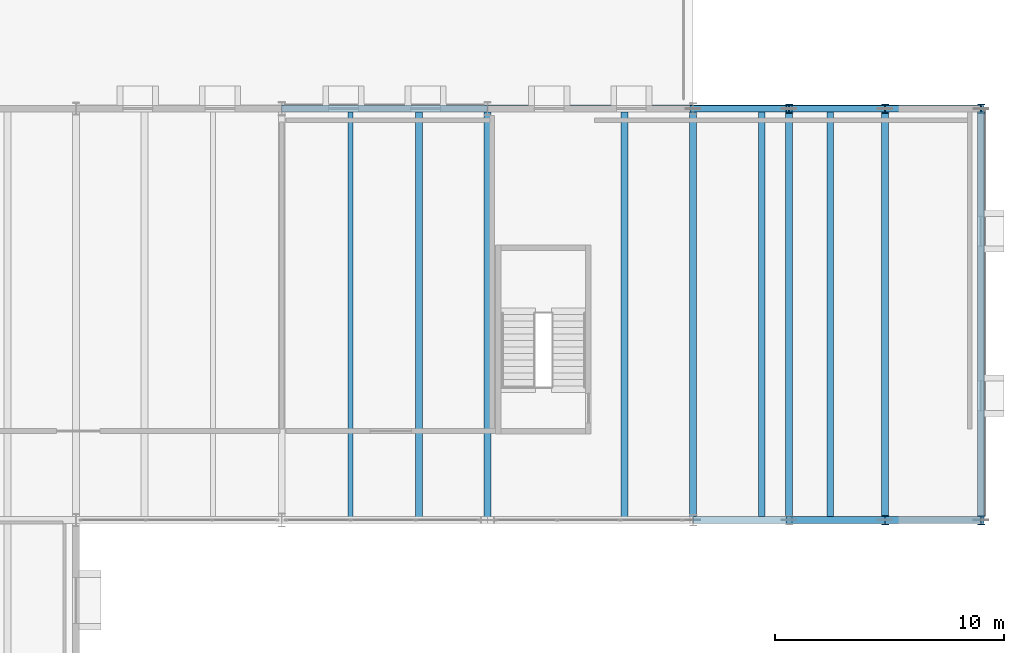
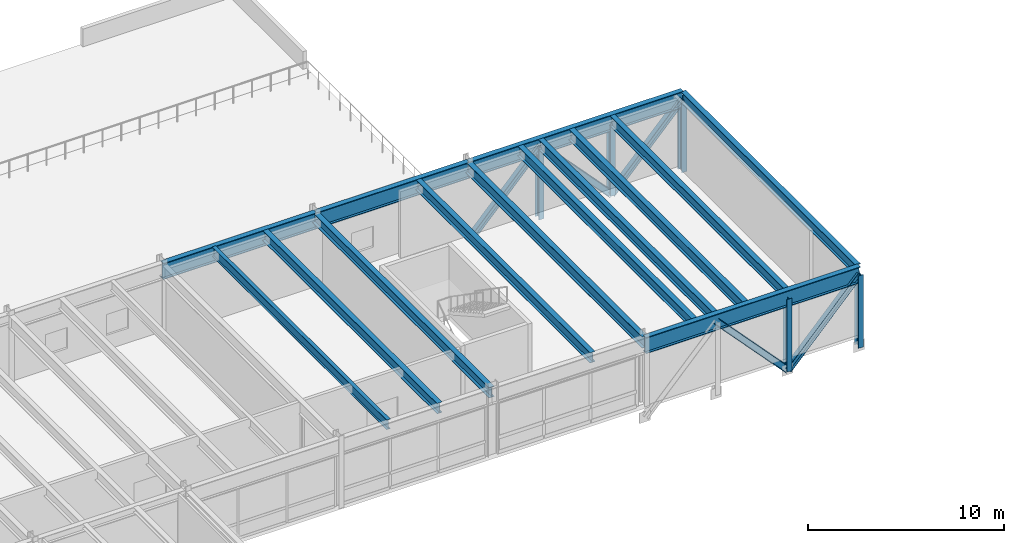
# One storey, part 88 of 115: 14 beams, 10 members.
"""IFC4 building model written with IfcOpenShell, lengths in metres."""

import ifcopenshell
import ifcopenshell.guid

model = None  # the IFC model being written
_history = None  # IfcOwnerHistory: only IFC2X3 demands one
_inside = {}  # id of a spatial element -> (the spatial element, [elements in it])
_under = {}  # id of a project, library or spatial element -> (it, [spatial elements below it])
_declared = {}  # id of a project -> (the project, [libraries it declares])
_typed = {}  # id of a type object -> (the type object, [elements of that type])
_made_of = {}  # id of a material, layer set ... -> (it, [elements and type objects made of it])


def new_model(schema):
    """Start an empty IFC model of exactly this schema.

    Asked for "IFC4X3", IfcOpenShell would pick the latest addendum, in which some entities
    have other attributes; the version numbers below select the first issue.
    IFC2X3 requires an IfcOwnerHistory on every rooted entity: one is made here for all.
    """
    global model, _history
    if schema == "IFC4X3":
        model = ifcopenshell.file(schema_version=(4, 3, 0, 0))
    else:
        model = ifcopenshell.file(schema=schema)
    _inside.clear()
    _under.clear()
    _declared.clear()
    _typed.clear()
    _made_of.clear()
    _history = None
    if model.schema == "IFC2X3":
        org = make("IfcOrganization", Name="unknown")
        user = make(
            "IfcPersonAndOrganization",
            ThePerson=make("IfcPerson", FamilyName="unknown"),
            TheOrganization=org,
        )
        app = make(
            "IfcApplication",
            ApplicationDeveloper=org,
            Version="unknown",
            ApplicationFullName="unknown",
            ApplicationIdentifier="unknown",
        )
        _history = make(
            "IfcOwnerHistory",
            OwningUser=user,
            OwningApplication=app,
            ChangeAction="ADDED",
            CreationDate=0,
        )
    return model


def make(cls, **values):
    """One entity of the class cls with the attributes given. An attribute that is None is left unset."""
    return model.create_entity(
        cls, **{name: value for name, value in values.items() if value is not None}
    )


def rooted(cls, **values):
    """An entity with a GlobalId (a new one), such as an element, a storey or a relation."""
    return make(cls, GlobalId=ifcopenshell.guid.new(), OwnerHistory=_history, **values)


def si_unit(unit_type, name, prefix=None):
    """IfcSIUnit, for example si_unit("LENGTHUNIT", "METRE", prefix="MILLI")."""
    return make("IfcSIUnit", UnitType=unit_type, Prefix=prefix, Name=name)


def assignment(units):
    """IfcUnitAssignment: the units of a project."""
    return None if units is None else make("IfcUnitAssignment", Units=units)


def point(xyz):
    """IfcCartesianPoint."""
    return None if xyz is None else make("IfcCartesianPoint", Coordinates=xyz)


def direction(xyz):
    """IfcDirection."""
    return None if xyz is None else make("IfcDirection", DirectionRatios=xyz)


def frame(location, z_axis=None, x_axis=None):
    """IfcAxis2Placement3D, a coordinate frame: its origin and axes. An axis left out is left unset."""
    return make(
        "IfcAxis2Placement3D",
        Location=point(location),
        Axis=direction(z_axis),
        RefDirection=direction(x_axis),
    )


def frame_2d(location, x_axis=None):
    """IfcAxis2Placement2D, a coordinate frame in the plane: its origin and x axis."""
    return make(
        "IfcAxis2Placement2D", Location=point(location), RefDirection=direction(x_axis)
    )


def origin():
    """The frame at (0, 0, 0) with its axes left unset."""
    return frame((0.0, 0.0, 0.0))


def origin_2d():
    """The frame at (0, 0) in the plane with its x axis left unset."""
    return frame_2d((0.0, 0.0))


def place(relative_to, where):
    """IfcLocalPlacement: puts the frame where relative to a parent placement (None: the world)."""
    return make(
        "IfcLocalPlacement", PlacementRelTo=relative_to, RelativePlacement=where
    )


def context(
    kind, dimensions, precision=None, world=None, true_north=None, identifier=None
):
    """IfcGeometricRepresentationContext, for example the 3D "Model" context."""
    return make(
        "IfcGeometricRepresentationContext",
        ContextIdentifier=identifier,
        ContextType=kind,
        CoordinateSpaceDimension=dimensions,
        Precision=precision,
        WorldCoordinateSystem=world,
        TrueNorth=true_north,
    )


def subcontext(parent, identifier, kind, view, scale=None):
    """IfcGeometricRepresentationSubContext, for example "Body" below "Model"."""
    return make(
        "IfcGeometricRepresentationSubContext",
        ContextIdentifier=identifier,
        ContextType=kind,
        ParentContext=parent,
        TargetScale=scale,
        TargetView=view,
    )


def project(units=None, contexts=None):
    """IfcProject with its units and contexts."""
    return rooted(
        "IfcProject",
        Name="project",
        RepresentationContexts=contexts,
        UnitsInContext=assignment(units),
    )


def spatial(cls, under=None, at=None, **own):
    """A site, building, storey or space (cls), placed at a placement, below another one or the project."""
    s = rooted(cls, ObjectPlacement=at, **own)
    if under is not None:
        _under.setdefault(under.id(), (under, []))[1].append(s)
    return s


def profile(cls, at=None, kind="AREA", **sizes):
    """A parametric profile (cls). Its sizes go by their IFC names, for example OverallWidth=200.0."""
    return make(cls, ProfileType=kind, Position=at, **sizes)


def i_section(**sizes):
    """IfcIShapeProfileDef."""
    return profile("IfcIShapeProfileDef", **sizes)


def extrude(swept, where, along, depth):
    """IfcExtrudedAreaSolid: the profile swept, set in the frame where, extruded along a direction by depth."""
    return make(
        "IfcExtrudedAreaSolid",
        SweptArea=swept,
        Position=where,
        ExtrudedDirection=direction(along),
        Depth=depth,
    )


def shape(context_of_items, identifier, shape_type, items):
    """IfcShapeRepresentation: the items that make up one representation, for example the "Body"."""
    return make(
        "IfcShapeRepresentation",
        ContextOfItems=context_of_items,
        RepresentationIdentifier=identifier,
        RepresentationType=shape_type,
        Items=items,
    )


def material(Name=None, Category=None):
    """IfcMaterial."""
    return make("IfcMaterial", Name=Name, Category=Category)


def material_profile(
    of_material, cross_section, Name=None, Category=None, Priority=None
):
    """IfcMaterialProfile: a cross section and its material."""
    return make(
        "IfcMaterialProfile",
        Name=Name,
        Material=of_material,
        Profile=cross_section,
        Priority=Priority,
        Category=Category,
    )


def profile_set(profiles, Name=None, composite=None):
    """IfcMaterialProfileSet."""
    return make(
        "IfcMaterialProfileSet",
        Name=Name,
        MaterialProfiles=profiles,
        CompositeProfile=composite,
    )


def made_of(thing, what):
    """Note that an element or type object is made of a material, layer set ...; save() writes the relation."""
    if what is not None:
        _made_of.setdefault(what.id(), (what, []))[1].append(thing)
    return thing


def type_object(cls, material=None, **own):
    """A type object (cls), such as IfcWallType, which elements share."""
    return made_of(rooted(cls, **own), material)


def element(
    cls,
    number,
    at=None,
    inside=None,
    cuts=None,
    type_object=None,
    material=None,
    context=None,
    identifier="Body",
    shape_type=None,
    held_by="IfcProductDefinitionShape",
    body=None,
    shapes=None,
    **own,
):
    """One element of the class cls, such as IfcWall. Its Tag is "e" and its number.

    at: its placement. inside: the storey or other place that contains it. cuts: it is an
    opening in that element (IfcRelVoidsElement). A single representation is given by context,
    identifier, shape_type and body (its items); several are given by shapes. held_by: the class
    of the entity that holds the representations. save() writes the other relations.
    """
    e = rooted(cls, Tag="e%d" % number, ObjectPlacement=at, **own)
    if body is not None:
        shapes = [shape(context, identifier, shape_type, body)]
    if shapes is not None:
        e.Representation = make(held_by, Representations=shapes)
    if inside is not None:
        _inside.setdefault(inside.id(), (inside, []))[1].append(e)
    if cuts is not None:
        rooted(
            "IfcRelVoidsElement", RelatingBuildingElement=cuts, RelatedOpeningElement=e
        )
    if type_object is not None:
        _typed.setdefault(type_object.id(), (type_object, []))[1].append(e)
    return made_of(e, material)


def aggregate(whole, parts):
    """IfcRelAggregates: a whole, such as a stair, and the parts it consists of."""
    return rooted("IfcRelAggregates", RelatingObject=whole, RelatedObjects=parts)


def save(model, path):
    """Write the relations noted so far, then the file.

    IfcRelAggregates (storeys below a building ...), IfcRelContainedInSpatialStructure (elements
    in a storey), IfcRelDefinesByType, IfcRelAssociatesMaterial and IfcRelDeclares: one each for
    every whole, place, type object, material and project.
    """
    for whole, parts in _under.values():
        aggregate(whole, parts)
    for where, things in _inside.values():
        rooted(
            "IfcRelContainedInSpatialStructure",
            RelatedElements=things,
            RelatingStructure=where,
        )
    for kind, things in _typed.values():
        rooted("IfcRelDefinesByType", RelatedObjects=things, RelatingType=kind)
    for what, things in _made_of.values():
        rooted("IfcRelAssociatesMaterial", RelatedObjects=things, RelatingMaterial=what)
    for by, libraries in _declared.values():
        rooted("IfcRelDeclares", RelatingContext=by, RelatedDefinitions=libraries)
    model.write(path)


model = new_model("IFC4")

# Units and contexts
model_context = context("Model", 3, precision=1e-05, world=origin(), true_north=direction((0.0, 1.0)))
body_context = subcontext(model_context, "Body", "Model", "MODEL_VIEW")
ifc_project = project(units=[si_unit("LENGTHUNIT", "METRE"), si_unit("AREAUNIT", "SQUARE_METRE"), si_unit("VOLUMEUNIT", "CUBIC_METRE"), si_unit("PLANEANGLEUNIT", "RADIAN"), si_unit("MASSUNIT", "GRAM", prefix="KILO")], contexts=[model_context])

# Site, building, storey
site_placement = place(None, origin())
site = spatial("IfcSite", under=ifc_project, at=site_placement, CompositionType="ELEMENT")
building_placement = place(site_placement, origin())
building = spatial("IfcBuilding", under=site, at=building_placement, Name="Montelvaro Courts of Justice", CompositionType="ELEMENT")
storey_placement = place(building_placement, frame((0.0, 0.0, 9.89990234375)))
storey = spatial("IfcBuildingStorey", under=building, at=storey_placement, Name="L02", CompositionType="ELEMENT", Elevation=9.89990234375)

# Beams
ifc_material = material(Name="Steel S355", Category="steel")
ifc_material_profile_1 = material_profile(ifc_material, i_section(OverallWidth=0.300048828125, OverallDepth=0.639892578125, WebThickness=0.013427734375, FlangeThickness=0.02587890625, at=origin_2d()), Name="HEA 650")
ifc_profile_set_1 = profile_set([ifc_material_profile_1], Name="Steel S355")
beam_type_1 = type_object("IfcBeamType", Name="Beam_HEA650", PredefinedType="USERDEFINED", material=ifc_profile_set_1)
for number, where, z_axis, x_axis, name in (
    (1, (159.0, 78.110107421875, 3.880126953125), (0.0, 1.0, 0.0), (-1.0, 0.0, 0.0), "Beam B-22 L02"),
    (2, (165.0, 78.110107421875, 3.880126953125), (0.0, 1.0, 0.0), (-1.0, 0.0, 0.0), "Beam B-22 L02"),
):
    element("IfcBeam", number, at=place(storey_placement, frame(where, z_axis=z_axis, x_axis=x_axis)), inside=storey, type_object=beam_type_1, Name=name, ObjectType="GIRDER", PredefinedType="USERDEFINED", context=body_context, shape_type="SweptSolid", body=[
        extrude(i_section(OverallWidth=0.300048828125, OverallDepth=0.639892578125, WebThickness=0.013427734375, FlangeThickness=0.02587890625, at=origin_2d()), origin(), (0.0, 0.0, 1.0), 17.77978515625),
    ])
ifc_material_profile_2 = material_profile(ifc_material, i_section(OverallWidth=0.300048828125, OverallDepth=0.68994140625, WebThickness=0.014404296875, FlangeThickness=0.027099609375, at=origin_2d()), Name="HEA 700")
ifc_profile_set_2 = profile_set([ifc_material_profile_2], Name="Steel S355")
beam_type_2 = type_object("IfcBeamType", Name="Beam_HEA700", PredefinedType="USERDEFINED", material=ifc_profile_set_2)
beam_1_placement = place(storey_placement, frame((168.0, 78.110107421875, 3.85498046875), z_axis=(0.0, 1.0, 0.0), x_axis=(-1.0, 0.0, 0.0)))
element("IfcBeam", 3, at=beam_1_placement, inside=storey, type_object=beam_type_2, Name="Beam B-23 L02", ObjectType="GIRDER", PredefinedType="USERDEFINED", context=body_context, shape_type="SweptSolid", body=[
    extrude(i_section(OverallWidth=0.300048828125, OverallDepth=0.68994140625, WebThickness=0.014404296875, FlangeThickness=0.027099609375, at=origin_2d()), origin(), (0.0, 0.0, 1.0), 17.77978515625),
])
ifc_material_profile_3 = material_profile(ifc_material, i_section(OverallWidth=0.300048828125, OverallDepth=0.64990234375, WebThickness=0.01611328125, FlangeThickness=0.031005859375, at=origin_2d()), Name="HEB 650")
ifc_profile_set_3 = profile_set([ifc_material_profile_3], Name="Steel S355")
beam_type_3 = type_object("IfcBeamType", Name="Beam_HEB650", PredefinedType="USERDEFINED", material=ifc_profile_set_3)
for number, where, z_axis, x_axis, name in (
    (4, (166.199951171875, 78.110107421875, 3.875), (0.0, 1.0, 0.0), (-1.0, 0.0, 0.0), "Beam B-27 L02"),
    (5, (170.39990234375, 78.110107421875, 3.875), (0.0, 1.0, 0.0), (-1.0, 0.0, 0.0), "Beam B-27 L02"),
    (6, (174.60009765625, 78.110107421875, 3.875), (0.0, 1.0, 0.0), (-1.0, 0.0, 0.0), "Beam B-27 L02"),
):
    element("IfcBeam", number, at=place(storey_placement, frame(where, z_axis=z_axis, x_axis=x_axis)), inside=storey, type_object=beam_type_3, Name=name, ObjectType="GIRDER", PredefinedType="USERDEFINED", context=body_context, shape_type="SweptSolid", body=[
        extrude(i_section(OverallWidth=0.300048828125, OverallDepth=0.64990234375, WebThickness=0.01611328125, FlangeThickness=0.031005859375, at=origin_2d()), origin(), (0.0, 0.0, 1.0), 17.77978515625),
    ])
beam_2_placement = place(storey_placement, frame((153.0, 78.0, 3.875), z_axis=(0.0, 1.0, 0.0), x_axis=(-1.0, 0.0, 0.0)))
element("IfcBeam", 7, at=beam_2_placement, inside=storey, type_object=beam_type_3, Name="Beam B-27 L02", ObjectType="GIRDER", PredefinedType="USERDEFINED", context=body_context, shape_type="SweptSolid", body=[
    extrude(i_section(OverallWidth=0.300048828125, OverallDepth=0.64990234375, WebThickness=0.01611328125, FlangeThickness=0.031005859375, at=origin_2d()), origin(), (0.0, 0.0, 1.0), 18.0),
])
beam_3_placement = place(storey_placement, frame((150.0, 78.110107421875, 3.875), z_axis=(0.0, 1.0, 0.0), x_axis=(-1.0, 0.0, 0.0)))
element("IfcBeam", 8, at=beam_3_placement, inside=storey, type_object=beam_type_3, Name="Beam B-27 L02", ObjectType="GIRDER", PredefinedType="USERDEFINED", context=body_context, shape_type="SweptSolid", body=[
    extrude(i_section(OverallWidth=0.300048828125, OverallDepth=0.64990234375, WebThickness=0.01611328125, FlangeThickness=0.031005859375, at=origin_2d()), origin(), (0.0, 0.0, 1.0), 17.77978515625),
])
ifc_material_profile_4 = material_profile(ifc_material, i_section(OverallWidth=0.300048828125, OverallDepth=0.699951171875, WebThickness=0.01708984375, FlangeThickness=0.031982421875, at=origin_2d()), Name="HEB 700")
ifc_profile_set_4 = profile_set([ifc_material_profile_4], Name="Steel S355")
beam_type_4 = type_object("IfcBeamType", Name="Beam_HEB700", PredefinedType="USERDEFINED", material=ifc_profile_set_4)
beam_4_placement = place(storey_placement, frame((162.0, 78.0, 3.85009765625), z_axis=(0.0, 1.0, 0.0), x_axis=(-1.0, 0.0, 0.0)))
element("IfcBeam", 9, at=beam_4_placement, inside=storey, type_object=beam_type_4, Name="Beam B-28 L02", ObjectType="GIRDER", PredefinedType="USERDEFINED", context=body_context, shape_type="SweptSolid", body=[
    extrude(i_section(OverallWidth=0.300048828125, OverallDepth=0.699951171875, WebThickness=0.01708984375, FlangeThickness=0.031982421875, at=origin_2d()), origin(), (0.0, 0.0, 1.0), 18.0),
])
ifc_material_profile_5 = material_profile(ifc_material, i_section(OverallWidth=0.302001953125, OverallDepth=1.008056640625, WebThickness=0.02099609375, FlangeThickness=0.0400390625, at=origin_2d()), Name="HEM 1000")
ifc_profile_set_5 = profile_set([ifc_material_profile_5], Name="Steel S355")
beam_type_5 = type_object("IfcBeamType", Name="Beam_HEM1000", PredefinedType="USERDEFINED", material=ifc_profile_set_5)
beam_5_placement = place(storey_placement, frame((162.0, 78.0, 3.696044921875), z_axis=(1.0, 0.0, 0.0), x_axis=(0.0, 1.0, 0.0)))
element("IfcBeam", 10, at=beam_5_placement, inside=storey, type_object=beam_type_5, Name="Pratt Cantilever Truss Chord CTR-V2-S-L03-OVH", ObjectType="GIRDER", PredefinedType="USERDEFINED", context=body_context, shape_type="SweptSolid", body=[
    extrude(i_section(OverallWidth=0.302001953125, OverallDepth=1.008056640625, WebThickness=0.02099609375, FlangeThickness=0.0400390625, at=origin_2d()), origin(), (0.0, 0.0, 1.0), 12.60009765625),
])
for number, where, z_axis, x_axis, name in (
    (11, (144.0, 96.0, 3.696044921875), (1.0, 0.0, 0.0), (0.0, 1.0, 0.0), "Pratt Cantilever Truss Chord CTR-V2-N-L03-BS2"),
    (12, (153.0, 96.0, 3.696044921875), (1.0, 0.0, 0.0), (0.0, 1.0, 0.0), "Pratt Cantilever Truss Chord CTR-V2-N-L03-BS3"),
):
    element("IfcBeam", number, at=place(storey_placement, frame(where, z_axis=z_axis, x_axis=x_axis)), inside=storey, type_object=beam_type_5, Name=name, ObjectType="GIRDER", PredefinedType="USERDEFINED", context=body_context, shape_type="SweptSolid", body=[
        extrude(i_section(OverallWidth=0.302001953125, OverallDepth=1.008056640625, WebThickness=0.02099609375, FlangeThickness=0.0400390625, at=origin_2d()), origin(), (0.0, 0.0, 1.0), 9.0),
    ])
beam_6_placement = place(storey_placement, frame((162.0, 96.0, 3.696044921875), z_axis=(1.0, 0.0, 0.0), x_axis=(0.0, 1.0, 0.0)))
element("IfcBeam", 13, at=beam_6_placement, inside=storey, type_object=beam_type_5, Name="Pratt Cantilever Truss Chord CTR-V2-N-L03-OVH", ObjectType="GIRDER", PredefinedType="USERDEFINED", context=body_context, shape_type="SweptSolid", body=[
    extrude(i_section(OverallWidth=0.302001953125, OverallDepth=1.008056640625, WebThickness=0.02099609375, FlangeThickness=0.0400390625, at=origin_2d()), origin(), (0.0, 0.0, 1.0), 12.60009765625),
])
ifc_material_profile_6 = material_profile(ifc_material, i_section(OverallWidth=0.219970703125, OverallDepth=0.60009765625, WebThickness=0.011962890625, FlangeThickness=0.01904296875, at=origin_2d()), Name="IPE 600")
ifc_profile_set_6 = profile_set([ifc_material_profile_6], Name="Steel S355")
beam_type_6 = type_object("IfcBeamType", Name="Beam_IPE600", PredefinedType="USERDEFINED", material=ifc_profile_set_6)
beam_7_placement = place(storey_placement, frame((147.0, 78.110107421875, 3.900146484375), z_axis=(0.0, 1.0, 0.0), x_axis=(-1.0, 0.0, 0.0)))
element("IfcBeam", 14, at=beam_7_placement, inside=storey, type_object=beam_type_6, Name="Beam B-12 L02", ObjectType="GIRDER", PredefinedType="USERDEFINED", context=body_context, shape_type="SweptSolid", body=[
    extrude(i_section(OverallWidth=0.219970703125, OverallDepth=0.60009765625, WebThickness=0.011962890625, FlangeThickness=0.01904296875, at=origin_2d()), origin(), (0.0, 0.0, 1.0), 17.77978515625),
])

# Members
ifc_material_profile_7 = material_profile(ifc_material, i_section(OverallWidth=0.300048828125, OverallDepth=0.360107421875, WebThickness=0.012451171875, FlangeThickness=0.0224609375, at=origin_2d()), Name="HEB 360")
ifc_profile_set_7 = profile_set([ifc_material_profile_7], Name="Steel S355")
member_type_1 = type_object("IfcMemberType", Name="Mem_HEB360_Brace", PredefinedType="BRACE", material=ifc_profile_set_7)
for number, where, z_axis, x_axis, name in (
    (15, (166.199951171875, 78.0, 3.696044921875), (0.682314010889, 0.0, -0.73105922506), (0.0, 1.0, 0.0), "Pratt Cantilever Truss Diagonal MB-01 CTR-V2-S-L02-D5"),
    (16, (170.39990234375, 78.0, -0.803955078125), (0.682335207557, 0.0, 0.731039441158), (0.0, 1.0, 0.0), "Pratt Cantilever Truss Diagonal MB-01 CTR-V2-S-L02-D6"),
    (17, (162.0, 96.0, -0.803955078125), (0.682314010889, 0.0, 0.73105922506), (0.0, 1.0, 0.0), "Pratt Cantilever Truss Diagonal MB-01 CTR-V2-N-L02-D4"),
    (18, (166.199951171875, 96.0, 3.696044921875), (0.682314010889, 0.0, -0.73105922506), (0.0, 1.0, 0.0), "Pratt Cantilever Truss Diagonal MB-01 CTR-V2-N-L02-D5"),
    (19, (170.39990234375, 96.0, -0.803955078125), (0.682335207557, 0.0, 0.731039441158), (0.0, 1.0, 0.0), "Pratt Cantilever Truss Diagonal MB-01 CTR-V2-N-L02-D6"),
):
    element("IfcMember", number, at=place(storey_placement, frame(where, z_axis=z_axis, x_axis=x_axis)), inside=storey, type_object=member_type_1, Name=name, PredefinedType="BRACE", context=body_context, shape_type="SweptSolid", body=[
        extrude(i_section(OverallWidth=0.300048828125, OverallDepth=0.360107421875, WebThickness=0.012451171875, FlangeThickness=0.0224609375, at=origin_2d()), origin(), (0.0, 0.0, 1.0), 6.155517578125),
    ])
ifc_material_profile_8 = material_profile(ifc_material, i_section(OverallWidth=0.300048828125, OverallDepth=0.39990234375, WebThickness=0.013427734375, FlangeThickness=0.02392578125, at=origin_2d()), Name="HEB 400")
ifc_profile_set_8 = profile_set([ifc_material_profile_8], Name="Steel S355")
member_type_2 = type_object("IfcMemberType", Name="Mem_HEB400_Post", PredefinedType="POST", material=ifc_profile_set_8)
for number, where, z_axis, x_axis, name in (
    (20, (170.39990234375, 78.0, -0.803955078125), (0.0, 0.0, 1.0), (1.0, 0.0, 0.0), "Pratt Cantilever Truss Post MP-01 CTR-V2-S-L02-2"),
    (21, (174.60009765625, 78.0, -0.803955078125), (0.0, 0.0, 1.0), (1.0, 0.0, 0.0), "Pratt Cantilever Truss Post MP-01 CTR-V2-S-L02-3"),
    (22, (166.199951171875, 96.0, -0.803955078125), (0.0, 0.0, 1.0), (1.0, 0.0, 0.0), "Pratt Cantilever Truss Post MP-01 CTR-V2-N-L02-1"),
    (23, (170.39990234375, 96.0, -0.803955078125), (0.0, 0.0, 1.0), (1.0, 0.0, 0.0), "Pratt Cantilever Truss Post MP-01 CTR-V2-N-L02-2"),
    (24, (174.60009765625, 96.0, -0.803955078125), (0.0, 0.0, 1.0), (1.0, 0.0, 0.0), "Pratt Cantilever Truss Post MP-01 CTR-V2-N-L02-3"),
):
    element("IfcMember", number, at=place(storey_placement, frame(where, z_axis=z_axis, x_axis=x_axis)), inside=storey, type_object=member_type_2, Name=name, PredefinedType="POST", context=body_context, shape_type="SweptSolid", body=[
        extrude(i_section(OverallWidth=0.300048828125, OverallDepth=0.39990234375, WebThickness=0.013427734375, FlangeThickness=0.02392578125, at=origin_2d()), origin(), (0.0, 0.0, 1.0), 4.5),
    ])

save(model, "model.ifc")
